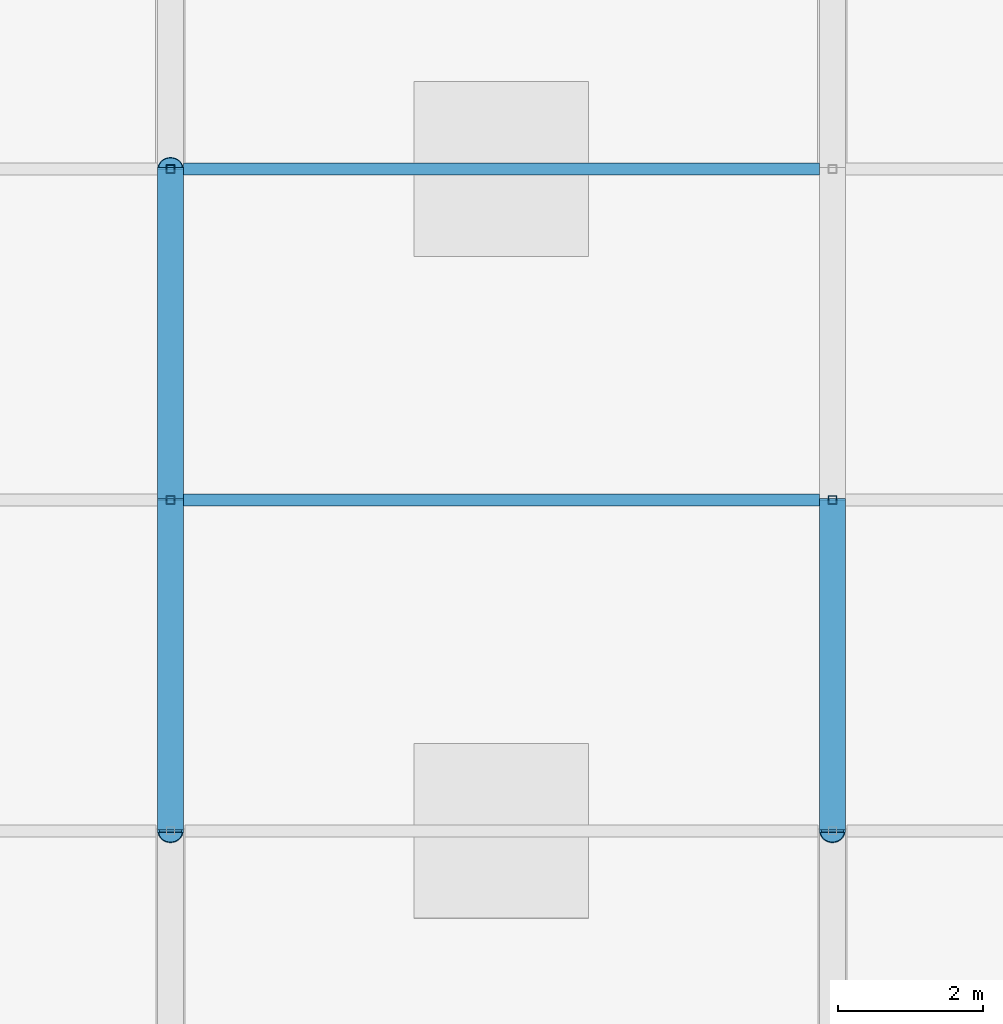
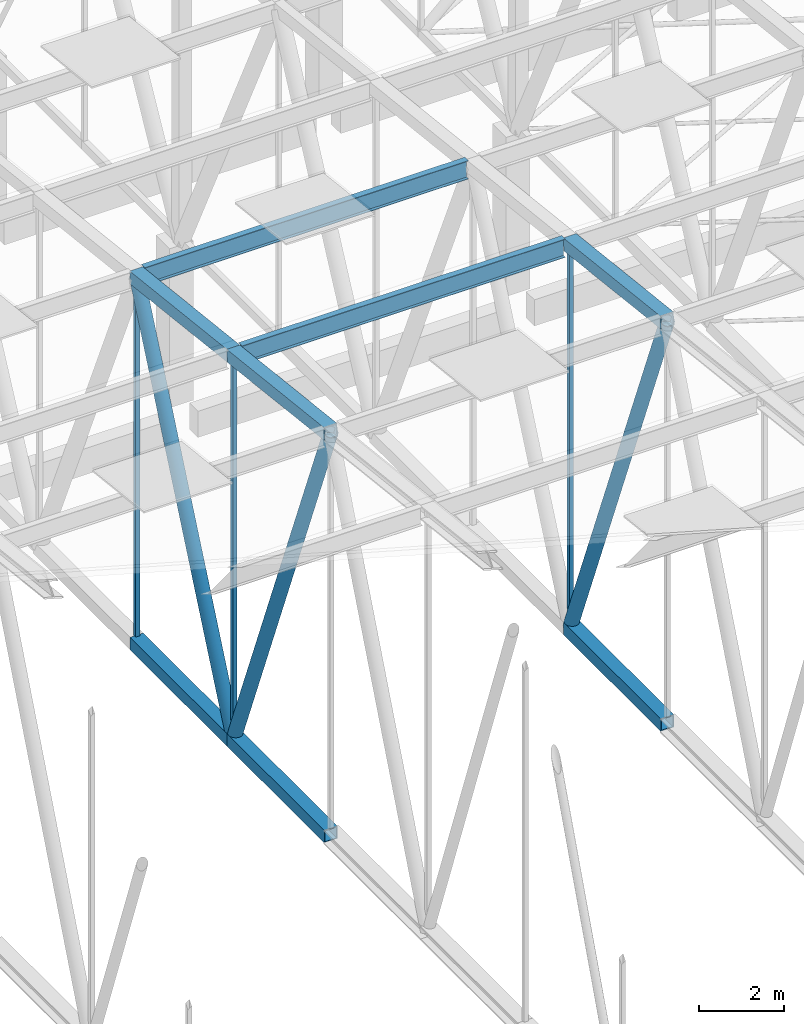
# One storey, part 269 of 500: 14 members.
"""IFC4 building model written with IfcOpenShell, lengths in metres."""

from ifc_helpers import new_model, si_unit, direction, frame, origin, origin_2d, place, context, subcontext, project, spatial, hollow_rectangle, hollow_circle, i_section, extrude, material, material_profile, profile_set, type_object, element, save


model = new_model("IFC4")

# Units and contexts
model_context = context("Model", 3, precision=1e-05, world=origin(), true_north=direction((0.0, 1.0)))
body_context = subcontext(model_context, "Body", "Model", "MODEL_VIEW")
ifc_project = project(units=[si_unit("LENGTHUNIT", "METRE"), si_unit("AREAUNIT", "SQUARE_METRE"), si_unit("VOLUMEUNIT", "CUBIC_METRE"), si_unit("PLANEANGLEUNIT", "RADIAN"), si_unit("MASSUNIT", "GRAM", prefix="KILO")], contexts=[model_context])

# Site, building, storey
site_placement = place(None, origin())
site = spatial("IfcSite", under=ifc_project, at=site_placement, CompositionType="ELEMENT")
building_placement = place(site_placement, origin())
building = spatial("IfcBuilding", under=site, at=building_placement, Name="Shirokan Park Arena", CompositionType="ELEMENT")
storey_placement = place(building_placement, frame((0.0, 0.0, 29.1201171875)))
storey = spatial("IfcBuildingStorey", under=building, at=storey_placement, Name="L06", CompositionType="ELEMENT", Elevation=29.1201171875)

# Members
ifc_material_1 = material(Name="Steel S355J2H", Category="steel")
ifc_material_profile_1 = material_profile(ifc_material_1, hollow_rectangle(XDim=0.35595703125, YDim=0.35595703125, WallThickness=0.025390625, at=origin_2d()), Name="HSS355.6X355.6X25.4")
ifc_profile_set_1 = profile_set([ifc_material_profile_1], Name="Steel S355J2H")
member_type_1 = type_object("IfcMemberType", Name="Bottom chord HSS355.6X355.6X25.4", PredefinedType="CHORD", material=ifc_profile_set_1)
member_1_placement = place(storey_placement, frame((72.800048828125, 77.35009765625, 4.677001953125), z_axis=(0.0, 1.0, 0.0), x_axis=(-1.0, 0.0, 0.0)))
element("IfcMember", 1, at=member_1_placement, inside=storey, type_object=member_type_1, Name="Truss T09 bottom chord 20", PredefinedType="CHORD", context=body_context, shape_type="SweptSolid", body=[
    extrude(hollow_rectangle(XDim=0.35595703125, YDim=0.35595703125, WallThickness=0.025390625, at=origin_2d()), origin(), (0.0, 0.0, 1.0), 4.5498046875),
])
member_2_placement = place(storey_placement, frame((72.800048828125, 81.89990234375, 4.677001953125), z_axis=(0.0, 1.0, 0.0), x_axis=(-1.0, 0.0, 0.0)))
element("IfcMember", 2, at=member_2_placement, inside=storey, type_object=member_type_1, Name="Truss T09 bottom chord 21", PredefinedType="CHORD", context=body_context, shape_type="SweptSolid", body=[
    extrude(hollow_rectangle(XDim=0.35595703125, YDim=0.35595703125, WallThickness=0.025390625, at=origin_2d()), origin(), (0.0, 0.0, 1.0), 4.550048828125),
])
member_3_placement = place(storey_placement, frame((81.89990234375, 77.35009765625, 4.677001953125), z_axis=(0.0, 1.0, 0.0), x_axis=(-1.0, 0.0, 0.0)))
element("IfcMember", 3, at=member_3_placement, inside=storey, type_object=member_type_1, Name="Truss T10 bottom chord 20", PredefinedType="CHORD", context=body_context, shape_type="SweptSolid", body=[
    extrude(hollow_rectangle(XDim=0.35595703125, YDim=0.35595703125, WallThickness=0.025390625, at=origin_2d()), origin(), (0.0, 0.0, 1.0), 4.5498046875),
])
ifc_material_2 = material(Name="Steel ASTM A992", Category="steel")
ifc_material_profile_2 = material_profile(ifc_material_2, i_section(OverallWidth=0.166015625, OverallDepth=0.528076171875, WebThickness=0.009765625, FlangeThickness=0.013671875, at=origin_2d()), Name="W530X74")
ifc_profile_set_2 = profile_set([ifc_material_profile_2], Name="Steel ASTM A992")
member_type_2 = type_object("IfcMemberType", Name="Purlin W530X74", PredefinedType="PURLIN", material=ifc_profile_set_2)
for number, where, z_axis, x_axis, name in (
    (4, (72.97802734375, 81.89990234375, 15.60595703125), (1.0, 0.0, 0.0), (0.0, 1.0, 0.0), "Purlin 21 bay 9"),
    (5, (72.97802734375, 86.449951171875, 15.0859375), (1.0, 0.0, 0.0), (0.0, 1.0, 0.0), "Purlin 22 bay 9"),
):
    element("IfcMember", number, at=place(storey_placement, frame(where, z_axis=z_axis, x_axis=x_axis)), inside=storey, type_object=member_type_2, Name=name, PredefinedType="PURLIN", context=body_context, shape_type="SweptSolid", body=[
        extrude(i_section(OverallWidth=0.166015625, OverallDepth=0.528076171875, WebThickness=0.009765625, FlangeThickness=0.013671875, at=origin_2d()), origin(), (0.0, 0.0, 1.0), 8.743896484375),
    ])
ifc_material_profile_3 = material_profile(ifc_material_1, hollow_rectangle(XDim=0.35595703125, YDim=0.35595703125, WallThickness=0.025390625, at=origin_2d()), Name="HSS355.6X355.6X25.4")
ifc_profile_set_3 = profile_set([ifc_material_profile_3], Name="Steel S355J2H")
member_type_3 = type_object("IfcMemberType", Name="Top chord HSS355.6X355.6X25.4", PredefinedType="CHORD", material=ifc_profile_set_3)
member_4_placement = place(storey_placement, frame((72.800048828125, 77.35009765625, 16.181396484375), z_axis=(0.0, 0.993531641592, -0.11355561261), x_axis=(-1.0, 0.0, 0.0)))
element("IfcMember", 6, at=member_4_placement, inside=storey, type_object=member_type_3, Name="Truss T09 top chord 20", PredefinedType="CHORD", context=body_context, shape_type="SweptSolid", body=[
    extrude(hollow_rectangle(XDim=0.35595703125, YDim=0.35595703125, WallThickness=0.025390625, at=origin_2d()), origin(), (0.0, 0.0, 1.0), 4.579345703125),
])
member_5_placement = place(storey_placement, frame((72.800048828125, 81.89990234375, 15.661376953125), z_axis=(0.0, 0.993532328996, -0.113549598152), x_axis=(-1.0, 0.0, 0.0)))
element("IfcMember", 7, at=member_5_placement, inside=storey, type_object=member_type_3, Name="Truss T09 top chord 21", PredefinedType="CHORD", context=body_context, shape_type="SweptSolid", body=[
    extrude(hollow_rectangle(XDim=0.35595703125, YDim=0.35595703125, WallThickness=0.025390625, at=origin_2d()), origin(), (0.0, 0.0, 1.0), 4.57958984375),
])
member_6_placement = place(storey_placement, frame((81.89990234375, 77.35009765625, 16.181396484375), z_axis=(0.0, 0.993531641592, -0.11355561261), x_axis=(-1.0, 0.0, 0.0)))
element("IfcMember", 8, at=member_6_placement, inside=storey, type_object=member_type_3, Name="Truss T10 top chord 20", PredefinedType="CHORD", context=body_context, shape_type="SweptSolid", body=[
    extrude(hollow_rectangle(XDim=0.35595703125, YDim=0.35595703125, WallThickness=0.025390625, at=origin_2d()), origin(), (0.0, 0.0, 1.0), 4.579345703125),
])
ifc_material_3 = material(Name="Steel ASTM A500 Grade C", Category="steel")
ifc_material_profile_4 = material_profile(ifc_material_3, hollow_circle(Radius=0.177978515625, WallThickness=0.0126953125, at=origin_2d()), Name="HSS355.6X12.7")
ifc_profile_set_4 = profile_set([ifc_material_profile_4], Name="Steel ASTM A500 Grade C")
member_type_4 = type_object("IfcMemberType", Name="Truss diagonal HSS355.6X12.7", PredefinedType="BRACE", material=ifc_profile_set_4)
member_7_placement = place(storey_placement, frame((72.800048828125, 77.35009765625, 16.181396484375), z_axis=(0.0, 0.367767637573, -0.929917719346), x_axis=(-1.0, 0.0, 0.0)))
element("IfcMember", 9, at=member_7_placement, inside=storey, type_object=member_type_4, Name="Truss T09 diagonal 20", PredefinedType="BRACE", context=body_context, shape_type="SweptSolid", body=[
    extrude(hollow_circle(Radius=0.177978515625, WallThickness=0.0126953125, at=origin_2d()), origin(), (0.0, 0.0, 1.0), 12.371337890625),
])
member_8_placement = place(storey_placement, frame((72.800048828125, 81.89990234375, 4.677001953125), z_axis=(0.0, 0.398750364192, 0.917059511186), x_axis=(-1.0, 0.0, 0.0)))
element("IfcMember", 10, at=member_8_placement, inside=storey, type_object=member_type_4, Name="Truss T09 diagonal 21", PredefinedType="BRACE", context=body_context, shape_type="SweptSolid", body=[
    extrude(hollow_circle(Radius=0.177978515625, WallThickness=0.0126953125, at=origin_2d()), origin(), (0.0, 0.0, 1.0), 11.410888671875),
])
member_9_placement = place(storey_placement, frame((81.89990234375, 77.35009765625, 16.181396484375), z_axis=(0.0, 0.367767637573, -0.929917719346), x_axis=(-1.0, 0.0, 0.0)))
element("IfcMember", 11, at=member_9_placement, inside=storey, type_object=member_type_4, Name="Truss T10 diagonal 20", PredefinedType="BRACE", context=body_context, shape_type="SweptSolid", body=[
    extrude(hollow_circle(Radius=0.177978515625, WallThickness=0.0126953125, at=origin_2d()), origin(), (0.0, 0.0, 1.0), 12.371337890625),
])
ifc_material_profile_5 = material_profile(ifc_material_3, hollow_rectangle(XDim=0.114013671875, YDim=0.114013671875, WallThickness=0.00634765625, at=origin_2d()), Name="HSS114.3X114.3X6.4")
ifc_profile_set_5 = profile_set([ifc_material_profile_5], Name="Steel ASTM A500 Grade C")
member_type_5 = type_object("IfcMemberType", Name="Truss post HSS114.3X114.3X6.4", PredefinedType="POST", material=ifc_profile_set_5)
member_10_placement = place(storey_placement, frame((72.800048828125, 81.89990234375, 4.677001953125), z_axis=(0.0, 0.0, 1.0), x_axis=(1.0, 0.0, 0.0)))
element("IfcMember", 12, at=member_10_placement, inside=storey, type_object=member_type_5, Name="Truss T09 post 21", PredefinedType="POST", context=body_context, shape_type="SweptSolid", body=[
    extrude(hollow_rectangle(XDim=0.114013671875, YDim=0.114013671875, WallThickness=0.00634765625, at=origin_2d()), origin(), (0.0, 0.0, 1.0), 10.984375),
])
member_11_placement = place(storey_placement, frame((72.800048828125, 86.449951171875, 4.677001953125), z_axis=(0.0, 0.0, 1.0), x_axis=(1.0, 0.0, 0.0)))
element("IfcMember", 13, at=member_11_placement, inside=storey, type_object=member_type_5, Name="Truss T09 post 22", PredefinedType="POST", context=body_context, shape_type="SweptSolid", body=[
    extrude(hollow_rectangle(XDim=0.114013671875, YDim=0.114013671875, WallThickness=0.00634765625, at=origin_2d()), origin(), (0.0, 0.0, 1.0), 10.46435546875),
])
member_12_placement = place(storey_placement, frame((81.89990234375, 81.89990234375, 4.677001953125), z_axis=(0.0, 0.0, 1.0), x_axis=(1.0, 0.0, 0.0)))
element("IfcMember", 14, at=member_12_placement, inside=storey, type_object=member_type_5, Name="Truss T10 post 21", PredefinedType="POST", context=body_context, shape_type="SweptSolid", body=[
    extrude(hollow_rectangle(XDim=0.114013671875, YDim=0.114013671875, WallThickness=0.00634765625, at=origin_2d()), origin(), (0.0, 0.0, 1.0), 10.984375),
])

save(model, "model.ifc")
